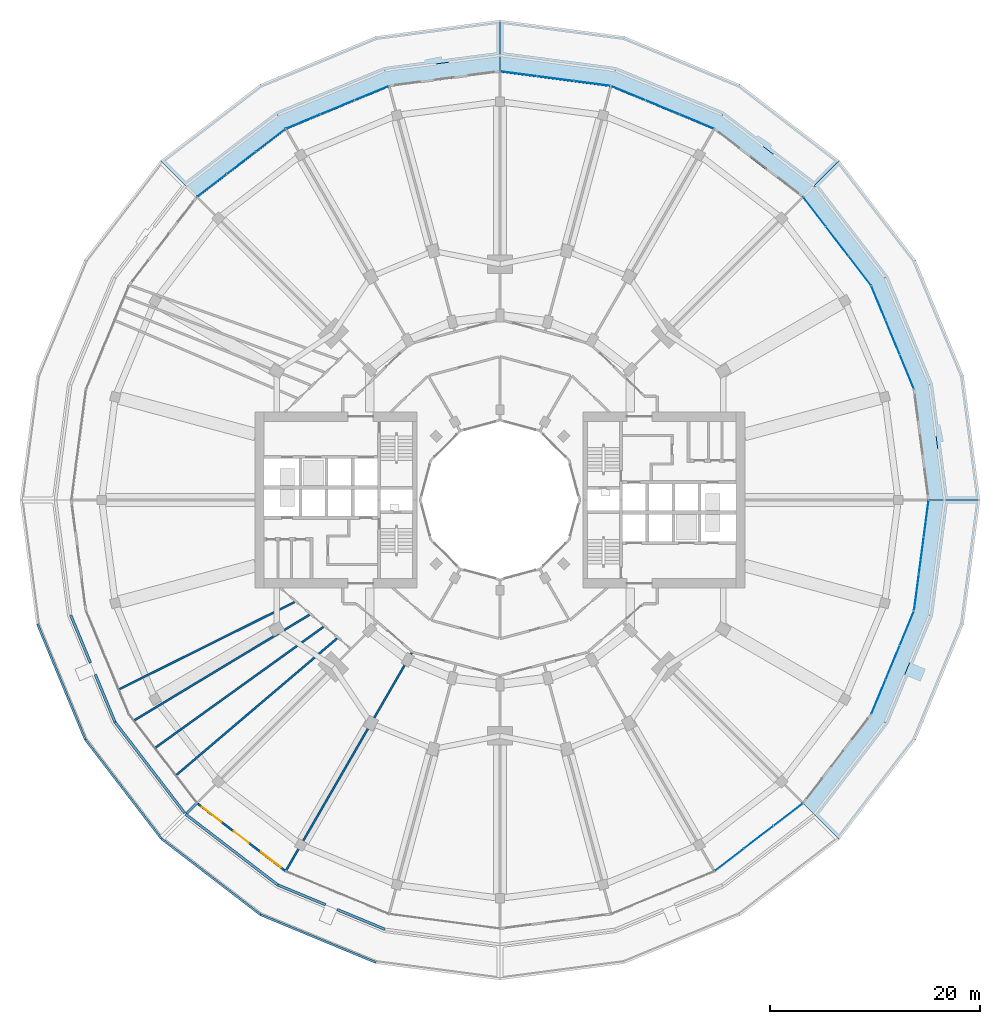
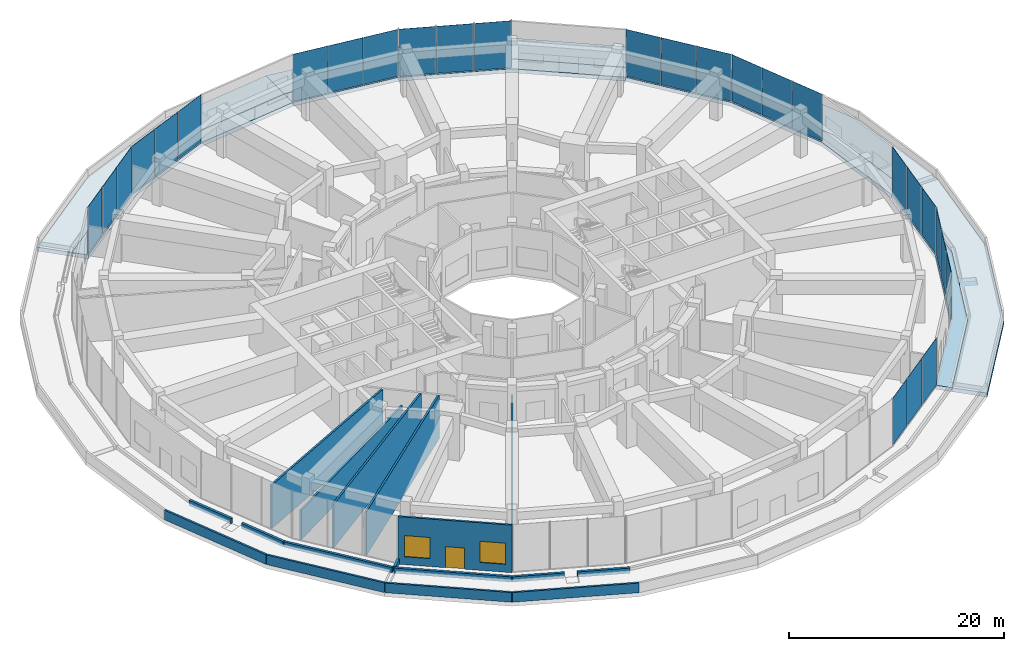
# One storey, part 20 of 30: 27 plates, 17 walls, 8 slabs, 2 windows, 1 door, 3 openings, 9 elements without a shape of their own.
"""IFC4 building model written with IfcOpenShell, lengths in metres."""

from ifc_helpers import new_model, si_unit, direction, frame, frame_2d, origin, origin_2d, place, context, subcontext, project, spatial, polyline, rectangle, outline, extrude, material, layer, layer_set, type_object, element, fill, aggregate, save


model = new_model("IFC4")

# Units and contexts
model_context = context("Model", 3, precision=1e-05, world=origin(), true_north=direction((0.0, 1.0)))
body_context = subcontext(model_context, "Body", "Model", "MODEL_VIEW")
ifc_project = project(units=[si_unit("LENGTHUNIT", "METRE"), si_unit("AREAUNIT", "SQUARE_METRE"), si_unit("VOLUMEUNIT", "CUBIC_METRE"), si_unit("PLANEANGLEUNIT", "RADIAN"), si_unit("MASSUNIT", "GRAM", prefix="KILO")], contexts=[model_context])

# Site, building, storey
site_placement = place(None, origin())
site = spatial("IfcSite", under=ifc_project, at=site_placement, CompositionType="ELEMENT")
building_placement = place(site_placement, origin())
building = spatial("IfcBuilding", under=site, at=building_placement, Name="Torre Brocal", CompositionType="ELEMENT")
storey_placement = place(building_placement, frame((0.0, 0.0, 7.0)))
storey = spatial("IfcBuildingStorey", under=building, at=storey_placement, Name="L01", CompositionType="ELEMENT", Elevation=7.0)

# Curtain wall, plates
ifc_material_1 = material(Name="Aluminium and glass", Category="aluminium")
ifc_layer_1 = layer(ifc_material_1, 0.199951171875)
ifc_layer_set_1 = layer_set([ifc_layer_1], Name="Aluminium and glass")
curtain_wall_type = type_object("IfcCurtainWallType", Name="CW-3 CURTAIN WALL 5400 HIGH", PredefinedType="NOTDEFINED", material=ifc_layer_set_1)
curtain_wall_1_placement = place(storey_placement, origin())
curtain_wall_1 = element("IfcCurtainWall", 1, at=curtain_wall_1_placement, inside=storey, type_object=curtain_wall_type, Name="CW-3 RUN 2", PredefinedType="NOTDEFINED")
ifc_material_2 = material(Name="Glass, dark tinted laminated", Category="glass")
ifc_layer_2 = layer(ifc_material_2, 0.02392578125)
ifc_layer_set_2 = layer_set([ifc_layer_2], Name="Glass, dark tinted laminated")
plate_type = type_object("IfcPlateType", Name="CW-3 GLASS PANEL 24", PredefinedType="CURTAIN_PANEL", material=ifc_layer_set_2)
plate_1_placement = place(storey_placement, frame((118.81982421875, 87.240966796875, 0.06005859375), z_axis=(0.0, 0.0, 1.0), x_axis=(-0.382683432397, 0.923879532498, 0.0)))
plate_1 = element("IfcPlate", 2, at=plate_1_placement, type_object=plate_type, Name="CW3-2 panel 1.1", PredefinedType="CURTAIN_PANEL", context=body_context, shape_type="SweptSolid", body=[
    extrude(rectangle(XDim=3.48388671875, YDim=0.02392578125, at=origin_2d()), origin(), (0.0, 0.0, 1.0), 5.340087890625),
])
plate_2_placement = place(storey_placement, frame((117.462646484375, 90.517578125, 0.06005859375), z_axis=(0.0, 0.0, 1.0), x_axis=(-0.382683432397, 0.923879532498, 0.0)))
plate_2 = element("IfcPlate", 3, at=plate_2_placement, type_object=plate_type, Name="CW3-2 panel 2.1", PredefinedType="CURTAIN_PANEL", context=body_context, shape_type="SweptSolid", body=[
    extrude(rectangle(XDim=3.509033203125, YDim=0.02392578125, at=origin_2d()), origin(), (0.0, 0.0, 1.0), 5.340087890625),
])
plate_3_placement = place(storey_placement, frame((116.10546875, 93.7939453125, 0.06005859375), z_axis=(0.0, 0.0, 1.0), x_axis=(-0.382683432397, 0.923879532498, 0.0)))
plate_3 = element("IfcPlate", 4, at=plate_3_placement, type_object=plate_type, Name="CW3-2 panel 3.1", PredefinedType="CURTAIN_PANEL", context=body_context, shape_type="SweptSolid", body=[
    extrude(rectangle(XDim=3.48388671875, YDim=0.02392578125, at=origin_2d()), origin(), (0.0, 0.0, 1.0), 5.340087890625),
])
aggregate(curtain_wall_1, [plate_1, plate_2, plate_3])

curtain_wall_2_placement = place(storey_placement, origin())
curtain_wall_2 = element("IfcCurtainWall", 5, at=curtain_wall_2_placement, inside=storey, type_object=curtain_wall_type, Name="CW-3 RUN 3", PredefinedType="NOTDEFINED")
plate_4_placement = place(storey_placement, frame((114.328857421875, 96.871337890625, 0.06005859375), z_axis=(0.0, 0.0, 1.0), x_axis=(-0.608761429009, 0.793353340291, 0.0)))
plate_4 = element("IfcPlate", 6, at=plate_4_placement, type_object=plate_type, Name="CW3-2 panel 1.1", PredefinedType="CURTAIN_PANEL", context=body_context, shape_type="SweptSolid", body=[
    extrude(rectangle(XDim=3.48388671875, YDim=0.02392578125, at=origin_2d()), origin(), (0.0, 0.0, 1.0), 5.340087890625),
])
plate_5_placement = place(storey_placement, frame((112.169921875, 99.684814453125, 0.06005859375), z_axis=(0.0, 0.0, 1.0), x_axis=(-0.608761429009, 0.793353340291, 0.0)))
plate_5 = element("IfcPlate", 7, at=plate_5_placement, type_object=plate_type, Name="CW3-2 panel 2.1", PredefinedType="CURTAIN_PANEL", context=body_context, shape_type="SweptSolid", body=[
    extrude(rectangle(XDim=3.509033203125, YDim=0.02392578125, at=origin_2d()), origin(), (0.0, 0.0, 1.0), 5.340087890625),
])
plate_6_placement = place(storey_placement, frame((110.010986328125, 102.498291015625, 0.06005859375), z_axis=(0.0, 0.0, 1.0), x_axis=(-0.608761429009, 0.793353340291, 0.0)))
plate_6 = element("IfcPlate", 8, at=plate_6_placement, type_object=plate_type, Name="CW3-2 panel 3.1", PredefinedType="CURTAIN_PANEL", context=body_context, shape_type="SweptSolid", body=[
    extrude(rectangle(XDim=3.48388671875, YDim=0.02392578125, at=origin_2d()), origin(), (0.0, 0.0, 1.0), 5.340087890625),
])
aggregate(curtain_wall_2, [plate_4, plate_5, plate_6])

curtain_wall_3_placement = place(storey_placement, origin())
curtain_wall_3 = element("IfcCurtainWall", 9, at=curtain_wall_3_placement, inside=storey, type_object=curtain_wall_type, Name="CW-3 RUN 5", PredefinedType="NOTDEFINED")
plate_7_placement = place(storey_placement, frame((98.7939453125, 111.10546875, 0.06005859375), z_axis=(0.0, 0.0, 1.0), x_axis=(-0.923879532498, 0.382683432397, 0.0)))
plate_7 = element("IfcPlate", 10, at=plate_7_placement, type_object=plate_type, Name="CW3-2 panel 1.1", PredefinedType="CURTAIN_PANEL", context=body_context, shape_type="SweptSolid", body=[
    extrude(rectangle(XDim=3.48388671875, YDim=0.02392578125, at=origin_2d()), origin(), (0.0, 0.0, 1.0), 5.340087890625),
])
plate_8_placement = place(storey_placement, frame((95.517578125, 112.462646484375, 0.06005859375), z_axis=(0.0, 0.0, 1.0), x_axis=(-0.923879532498, 0.382683432397, 0.0)))
plate_8 = element("IfcPlate", 11, at=plate_8_placement, type_object=plate_type, Name="CW3-2 panel 2.1", PredefinedType="CURTAIN_PANEL", context=body_context, shape_type="SweptSolid", body=[
    extrude(rectangle(XDim=3.509033203125, YDim=0.02392578125, at=origin_2d()), origin(), (0.0, 0.0, 1.0), 5.340087890625),
])
plate_9_placement = place(storey_placement, frame((92.240966796875, 113.81982421875, 0.06005859375), z_axis=(0.0, 0.0, 1.0), x_axis=(-0.923879532498, 0.382683432397, 0.0)))
plate_9 = element("IfcPlate", 12, at=plate_9_placement, type_object=plate_type, Name="CW3-2 panel 3.1", PredefinedType="CURTAIN_PANEL", context=body_context, shape_type="SweptSolid", body=[
    extrude(rectangle(XDim=3.48388671875, YDim=0.02392578125, at=origin_2d()), origin(), (0.0, 0.0, 1.0), 5.340087890625),
])
aggregate(curtain_wall_3, [plate_7, plate_8, plate_9])

curtain_wall_4_placement = place(storey_placement, origin())
curtain_wall_4 = element("IfcCurtainWall", 13, at=curtain_wall_4_placement, inside=storey, type_object=curtain_wall_type, Name="CW-3 RUN 6", PredefinedType="NOTDEFINED")
plate_10_placement = place(storey_placement, frame((88.808837890625, 114.739501953125, 0.06005859375), z_axis=(0.0, 0.0, 1.0), x_axis=(-0.991444861378, 0.130526192185, 0.0)))
plate_10 = element("IfcPlate", 14, at=plate_10_placement, type_object=plate_type, Name="CW3-2 panel 1.1", PredefinedType="CURTAIN_PANEL", context=body_context, shape_type="SweptSolid", body=[
    extrude(rectangle(XDim=3.48388671875, YDim=0.02392578125, at=origin_2d()), origin(), (0.0, 0.0, 1.0), 5.340087890625),
])
plate_11_placement = place(storey_placement, frame((85.292724609375, 115.202392578125, 0.06005859375), z_axis=(0.0, 0.0, 1.0), x_axis=(-0.991444861378, 0.130526192185, 0.0)))
plate_11 = element("IfcPlate", 15, at=plate_11_placement, type_object=plate_type, Name="CW3-2 panel 2.1", PredefinedType="CURTAIN_PANEL", context=body_context, shape_type="SweptSolid", body=[
    extrude(rectangle(XDim=3.509033203125, YDim=0.02392578125, at=origin_2d()), origin(), (0.0, 0.0, 1.0), 5.340087890625),
])
plate_12_placement = place(storey_placement, frame((81.776611328125, 115.665283203125, 0.06005859375), z_axis=(0.0, 0.0, 1.0), x_axis=(-0.991444861378, 0.130526192185, 0.0)))
plate_12 = element("IfcPlate", 16, at=plate_12_placement, type_object=plate_type, Name="CW3-2 panel 3.1", PredefinedType="CURTAIN_PANEL", context=body_context, shape_type="SweptSolid", body=[
    extrude(rectangle(XDim=3.48388671875, YDim=0.02392578125, at=origin_2d()), origin(), (0.0, 0.0, 1.0), 5.340087890625),
])
aggregate(curtain_wall_4, [plate_10, plate_11, plate_12])

curtain_wall_5_placement = place(storey_placement, origin())
curtain_wall_5 = element("IfcCurtainWall", 17, at=curtain_wall_5_placement, inside=storey, type_object=curtain_wall_type, Name="CW-3 RUN 8", PredefinedType="NOTDEFINED")
plate_13_placement = place(storey_placement, frame((67.759033203125, 113.81982421875, 0.06005859375), z_axis=(0.0, 0.0, 1.0), x_axis=(-0.923879532498, -0.382683432397, 0.0)))
plate_13 = element("IfcPlate", 18, at=plate_13_placement, type_object=plate_type, Name="CW3-2 panel 1.1", PredefinedType="CURTAIN_PANEL", context=body_context, shape_type="SweptSolid", body=[
    extrude(rectangle(XDim=3.48388671875, YDim=0.02392578125, at=origin_2d()), origin(), (0.0, 0.0, 1.0), 5.340087890625),
])
plate_14_placement = place(storey_placement, frame((64.482421875, 112.462646484375, 0.06005859375), z_axis=(0.0, 0.0, 1.0), x_axis=(-0.923879532498, -0.382683432397, 0.0)))
plate_14 = element("IfcPlate", 19, at=plate_14_placement, type_object=plate_type, Name="CW3-2 panel 2.1", PredefinedType="CURTAIN_PANEL", context=body_context, shape_type="SweptSolid", body=[
    extrude(rectangle(XDim=3.509033203125, YDim=0.02392578125, at=origin_2d()), origin(), (0.0, 0.0, 1.0), 5.340087890625),
])
plate_15_placement = place(storey_placement, frame((61.2060546875, 111.10546875, 0.06005859375), z_axis=(0.0, 0.0, 1.0), x_axis=(-0.923879532498, -0.382683432397, 0.0)))
plate_15 = element("IfcPlate", 20, at=plate_15_placement, type_object=plate_type, Name="CW3-2 panel 3.1", PredefinedType="CURTAIN_PANEL", context=body_context, shape_type="SweptSolid", body=[
    extrude(rectangle(XDim=3.48388671875, YDim=0.02392578125, at=origin_2d()), origin(), (0.0, 0.0, 1.0), 5.340087890625),
])
aggregate(curtain_wall_5, [plate_13, plate_14, plate_15])

curtain_wall_6_placement = place(storey_placement, origin())
curtain_wall_6 = element("IfcCurtainWall", 21, at=curtain_wall_6_placement, inside=storey, type_object=curtain_wall_type, Name="CW-3 RUN 9", PredefinedType="NOTDEFINED")
plate_16_placement = place(storey_placement, frame((58.128662109375, 109.328857421875, 0.06005859375), z_axis=(0.0, 0.0, 1.0), x_axis=(-0.793353340291, -0.608761429009, 0.0)))
plate_16 = element("IfcPlate", 22, at=plate_16_placement, type_object=plate_type, Name="CW3-2 panel 1.1", PredefinedType="CURTAIN_PANEL", context=body_context, shape_type="SweptSolid", body=[
    extrude(rectangle(XDim=3.48388671875, YDim=0.02392578125, at=origin_2d()), origin(), (0.0, 0.0, 1.0), 5.340087890625),
])
plate_17_placement = place(storey_placement, frame((55.315185546875, 107.169921875, 0.06005859375), z_axis=(0.0, 0.0, 1.0), x_axis=(-0.793353340291, -0.608761429009, 0.0)))
plate_17 = element("IfcPlate", 23, at=plate_17_placement, type_object=plate_type, Name="CW3-2 panel 2.1", PredefinedType="CURTAIN_PANEL", context=body_context, shape_type="SweptSolid", body=[
    extrude(rectangle(XDim=3.509033203125, YDim=0.02392578125, at=origin_2d()), origin(), (0.0, 0.0, 1.0), 5.340087890625),
])
plate_18_placement = place(storey_placement, frame((52.501708984375, 105.010986328125, 0.06005859375), z_axis=(0.0, 0.0, 1.0), x_axis=(-0.793353340291, -0.608761429009, 0.0)))
plate_18 = element("IfcPlate", 24, at=plate_18_placement, type_object=plate_type, Name="CW3-2 panel 3.1", PredefinedType="CURTAIN_PANEL", context=body_context, shape_type="SweptSolid", body=[
    extrude(rectangle(XDim=3.48388671875, YDim=0.02392578125, at=origin_2d()), origin(), (0.0, 0.0, 1.0), 5.340087890625),
])
aggregate(curtain_wall_6, [plate_16, plate_17, plate_18])

curtain_wall_7_placement = place(storey_placement, origin())
curtain_wall_7 = element("IfcCurtainWall", 25, at=curtain_wall_7_placement, inside=storey, type_object=curtain_wall_type, Name="CW-3 RUN 21", PredefinedType="NOTDEFINED")
plate_19_placement = place(storey_placement, frame((101.871337890625, 40.671142578125, 0.06005859375), z_axis=(0.0, 0.0, 1.0), x_axis=(0.793353340291, 0.608761429009, 0.0)))
plate_19 = element("IfcPlate", 26, at=plate_19_placement, type_object=plate_type, Name="CW3-2 panel 1.1", PredefinedType="CURTAIN_PANEL", context=body_context, shape_type="SweptSolid", body=[
    extrude(rectangle(XDim=3.48388671875, YDim=0.02392578125, at=origin_2d()), origin(), (0.0, 0.0, 1.0), 5.340087890625),
])
plate_20_placement = place(storey_placement, frame((104.684814453125, 42.830078125, 0.06005859375), z_axis=(0.0, 0.0, 1.0), x_axis=(0.793353340291, 0.608761429009, 0.0)))
plate_20 = element("IfcPlate", 27, at=plate_20_placement, type_object=plate_type, Name="CW3-2 panel 2.1", PredefinedType="CURTAIN_PANEL", context=body_context, shape_type="SweptSolid", body=[
    extrude(rectangle(XDim=3.509033203125, YDim=0.02392578125, at=origin_2d()), origin(), (0.0, 0.0, 1.0), 5.340087890625),
])
plate_21_placement = place(storey_placement, frame((107.498291015625, 44.989013671875, 0.06005859375), z_axis=(0.0, 0.0, 1.0), x_axis=(0.793353340291, 0.608761429009, 0.0)))
plate_21 = element("IfcPlate", 28, at=plate_21_placement, type_object=plate_type, Name="CW3-2 panel 3.1", PredefinedType="CURTAIN_PANEL", context=body_context, shape_type="SweptSolid", body=[
    extrude(rectangle(XDim=3.48388671875, YDim=0.02392578125, at=origin_2d()), origin(), (0.0, 0.0, 1.0), 5.340087890625),
])
aggregate(curtain_wall_7, [plate_19, plate_20, plate_21])

curtain_wall_8_placement = place(storey_placement, origin())
curtain_wall_8 = element("IfcCurtainWall", 29, at=curtain_wall_8_placement, inside=storey, type_object=curtain_wall_type, Name="CW-3 RUN 23", PredefinedType="NOTDEFINED")
plate_22_placement = place(storey_placement, frame((116.10546875, 56.2060546875, 0.06005859375), z_axis=(0.0, 0.0, 1.0), x_axis=(0.382683432397, 0.923879532498, 0.0)))
plate_22 = element("IfcPlate", 30, at=plate_22_placement, type_object=plate_type, Name="CW3-2 panel 1.1", PredefinedType="CURTAIN_PANEL", context=body_context, shape_type="SweptSolid", body=[
    extrude(rectangle(XDim=3.48388671875, YDim=0.02392578125, at=origin_2d()), origin(), (0.0, 0.0, 1.0), 5.340087890625),
])
plate_23_placement = place(storey_placement, frame((117.462646484375, 59.482421875, 0.06005859375), z_axis=(0.0, 0.0, 1.0), x_axis=(0.382683432397, 0.923879532498, 0.0)))
plate_23 = element("IfcPlate", 31, at=plate_23_placement, type_object=plate_type, Name="CW3-2 panel 2.1", PredefinedType="CURTAIN_PANEL", context=body_context, shape_type="SweptSolid", body=[
    extrude(rectangle(XDim=3.509033203125, YDim=0.02392578125, at=origin_2d()), origin(), (0.0, 0.0, 1.0), 5.340087890625),
])
plate_24_placement = place(storey_placement, frame((118.81982421875, 62.759033203125, 0.06005859375), z_axis=(0.0, 0.0, 1.0), x_axis=(0.382683432397, 0.923879532498, 0.0)))
plate_24 = element("IfcPlate", 32, at=plate_24_placement, type_object=plate_type, Name="CW3-2 panel 3.1", PredefinedType="CURTAIN_PANEL", context=body_context, shape_type="SweptSolid", body=[
    extrude(rectangle(XDim=3.48388671875, YDim=0.02392578125, at=origin_2d()), origin(), (0.0, 0.0, 1.0), 5.340087890625),
])
aggregate(curtain_wall_8, [plate_22, plate_23, plate_24])

curtain_wall_9_placement = place(storey_placement, origin())
curtain_wall_9 = element("IfcCurtainWall", 33, at=curtain_wall_9_placement, inside=storey, type_object=curtain_wall_type, Name="CW-3 RUN 24", PredefinedType="NOTDEFINED")
plate_25_placement = place(storey_placement, frame((119.739501953125, 66.191162109375, 0.06005859375), z_axis=(0.0, 0.0, 1.0), x_axis=(0.130526192185, 0.991444861378, 0.0)))
plate_25 = element("IfcPlate", 34, at=plate_25_placement, type_object=plate_type, Name="CW3-2 panel 1.1", PredefinedType="CURTAIN_PANEL", context=body_context, shape_type="SweptSolid", body=[
    extrude(rectangle(XDim=3.48388671875, YDim=0.02392578125, at=origin_2d()), origin(), (0.0, 0.0, 1.0), 5.340087890625),
])
plate_26_placement = place(storey_placement, frame((120.202392578125, 69.707275390625, 0.06005859375), z_axis=(0.0, 0.0, 1.0), x_axis=(0.130526192185, 0.991444861378, 0.0)))
plate_26 = element("IfcPlate", 35, at=plate_26_placement, type_object=plate_type, Name="CW3-2 panel 2.1", PredefinedType="CURTAIN_PANEL", context=body_context, shape_type="SweptSolid", body=[
    extrude(rectangle(XDim=3.509033203125, YDim=0.02392578125, at=origin_2d()), origin(), (0.0, 0.0, 1.0), 5.340087890625),
])
plate_27_placement = place(storey_placement, frame((120.665283203125, 73.223388671875, 0.06005859375), z_axis=(0.0, 0.0, 1.0), x_axis=(0.130526192185, 0.991444861378, 0.0)))
plate_27 = element("IfcPlate", 36, at=plate_27_placement, type_object=plate_type, Name="CW3-2 panel 3.1", PredefinedType="CURTAIN_PANEL", context=body_context, shape_type="SweptSolid", body=[
    extrude(rectangle(XDim=3.48388671875, YDim=0.02392578125, at=origin_2d()), origin(), (0.0, 0.0, 1.0), 5.340087890625),
])
aggregate(curtain_wall_9, [plate_25, plate_26, plate_27])

# Slabs
ifc_material_3 = material(Name="Concrete C45", Category="concrete")
ifc_layer_3 = layer(ifc_material_3, 0.449951171875)
ifc_layer_set_3 = layer_set([ifc_layer_3], Name="Concrete C45")
slab_type_1 = type_object("IfcSlabType", Name="GREEN ROOF PLANTING BED SLAB 450 C45", PredefinedType="ROOF", material=ifc_layer_set_3)
slab_1_placement = place(storey_placement, frame((0.0, 0.0, -0.449951171875)))
element("IfcSlab", 37, at=slab_1_placement, inside=storey, type_object=slab_type_1, Name="Slab ST-04", PredefinedType="ROOF", context=body_context, shape_type="SweptSolid", body=[
    extrude(outline(polyline([(125.79833984375, 75.0), (122.412109375, 75.0), (120.967041015625, 85.97705078125), (116.72998046875, 96.2060546875), (109.989990234375, 104.989990234375), (112.38427734375, 107.38427734375), (119.662353515625, 97.899169921875), (124.23779296875, 86.853515625), (125.79833984375, 75.0)])), origin(), (0.0, 0.0, 1.0), 0.449951171875),
])
slab_2_placement = place(storey_placement, frame((0.0, 0.0, -0.449951171875)))
element("IfcSlab", 38, at=slab_2_placement, inside=storey, type_object=slab_type_1, Name="Slab ST-04", PredefinedType="ROOF", context=body_context, shape_type="SweptSolid", body=[
    extrude(outline(polyline([(112.38427734375, 107.38427734375), (109.989990234375, 104.989990234375), (101.2060546875, 111.72998046875), (90.97705078125, 115.967041015625), (80.0, 117.412109375), (80.0, 120.79833984375), (91.853515625, 119.23779296875), (102.899169921875, 114.662353515625), (112.38427734375, 107.38427734375)])), origin(), (0.0, 0.0, 1.0), 0.449951171875),
])
slab_3_placement = place(storey_placement, frame((0.0, 0.0, -0.449951171875)))
element("IfcSlab", 39, at=slab_3_placement, inside=storey, type_object=slab_type_1, Name="Slab ST-04", PredefinedType="ROOF", context=body_context, shape_type="SweptSolid", body=[
    extrude(outline(polyline([(80.0, 120.79833984375), (80.0, 117.412109375), (69.02294921875, 115.967041015625), (58.7939453125, 111.72998046875), (50.010009765625, 104.989990234375), (47.61572265625, 107.38427734375), (57.100830078125, 114.662353515625), (68.146484375, 119.23779296875), (80.0, 120.79833984375)])), origin(), (0.0, 0.0, 1.0), 0.449951171875),
])
slab_4_placement = place(storey_placement, frame((0.0, 0.0, -0.449951171875)))
element("IfcSlab", 40, at=slab_4_placement, inside=storey, type_object=slab_type_1, Name="Slab ST-04", PredefinedType="ROOF", context=body_context, shape_type="SweptSolid", body=[
    extrude(outline(polyline([(116.72998046875, 53.7939453125), (120.967041015625, 64.02294921875), (122.412109375, 75.0), (125.79833984375, 75.0), (124.23779296875, 63.146484375), (119.662353515625, 52.100830078125), (112.38427734375, 42.61572265625), (109.989990234375, 45.010009765625), (116.72998046875, 53.7939453125)])), origin(), (0.0, 0.0, 1.0), 0.449951171875),
])
ifc_material_4 = material(Name="Concrete C45", Category="concrete")
ifc_layer_4 = layer(ifc_material_4, 0.449951171875)
ifc_layer_set_4 = layer_set([ifc_layer_4], Name="Concrete C45")
slab_type_2 = type_object("IfcSlabType", Name="PT TERRACE SLAB 450 C45", PredefinedType="ROOF", material=ifc_layer_set_4)
slab_5_placement = place(storey_placement, frame((0.0, 0.0, -0.449951171875)))
element("IfcSlab", 41, at=slab_5_placement, inside=storey, type_object=slab_type_2, Name="Slab ST-03", PredefinedType="ROOF", context=body_context, shape_type="SweptSolid", body=[
    extrude(outline(polyline([(119.408203125, 85.559326171875), (115.332275390625, 95.399169921875), (108.8486328125, 103.8486328125), (109.989990234375, 104.989990234375), (116.72998046875, 96.2060546875), (120.967041015625, 85.97705078125), (122.412109375, 75.0), (120.79833984375, 75.0), (119.408203125, 85.559326171875)])), origin(), (0.0, 0.0, 1.0), 0.449951171875),
])
slab_6_placement = place(storey_placement, frame((0.0, 0.0, -0.449951171875)))
element("IfcSlab", 42, at=slab_6_placement, inside=storey, type_object=slab_type_2, Name="Slab ST-03", PredefinedType="ROOF", context=body_context, shape_type="SweptSolid", body=[
    extrude(outline(polyline([(100.399169921875, 110.332275390625), (90.559326171875, 114.408203125), (80.0, 115.79833984375), (80.0, 117.412109375), (90.97705078125, 115.967041015625), (101.2060546875, 111.72998046875), (109.989990234375, 104.989990234375), (108.8486328125, 103.8486328125), (100.399169921875, 110.332275390625)])), origin(), (0.0, 0.0, 1.0), 0.449951171875),
])
slab_7_placement = place(storey_placement, frame((0.0, 0.0, -0.449951171875)))
element("IfcSlab", 43, at=slab_7_placement, inside=storey, type_object=slab_type_2, Name="Slab ST-03", PredefinedType="ROOF", context=body_context, shape_type="SweptSolid", body=[
    extrude(outline(polyline([(69.440673828125, 114.408203125), (59.600830078125, 110.332275390625), (51.1513671875, 103.8486328125), (50.010009765625, 104.989990234375), (58.7939453125, 111.72998046875), (69.02294921875, 115.967041015625), (80.0, 117.412109375), (80.0, 115.79833984375), (69.440673828125, 114.408203125)])), origin(), (0.0, 0.0, 1.0), 0.449951171875),
])
slab_8_placement = place(storey_placement, frame((0.0, 0.0, -0.449951171875)))
element("IfcSlab", 44, at=slab_8_placement, inside=storey, type_object=slab_type_2, Name="Slab ST-03", PredefinedType="ROOF", context=body_context, shape_type="SweptSolid", body=[
    extrude(outline(polyline([(115.332275390625, 54.600830078125), (119.408203125, 64.440673828125), (120.79833984375, 75.0), (122.412109375, 75.0), (120.967041015625, 64.02294921875), (116.72998046875, 53.7939453125), (109.989990234375, 45.010009765625), (108.8486328125, 46.1513671875), (115.332275390625, 54.600830078125)])), origin(), (0.0, 0.0, 1.0), 0.449951171875),
])

# Wall, openings, windows, door
ifc_material_5 = material(Name="Concrete C40", Category="concrete")
ifc_layer_5 = layer(ifc_material_5, 0.199951171875)
ifc_layer_set_5 = layer_set([ifc_layer_5], Name="Concrete C40")
wall_type_1 = type_object("IfcWallType", Name="EXTERNAL WALL 200", PredefinedType="NOTDEFINED", material=ifc_layer_set_5)
wall_1_placement = place(storey_placement, frame((51.079833984375, 46.079833984375, 0.0), z_axis=(0.0, 0.0, 1.0), x_axis=(0.793366340284, -0.608744486714, 0.0)))
wall_1 = element("IfcWall", 45, at=wall_1_placement, inside=storey, type_object=wall_type_1, Name="EXTERNAL WALL", PredefinedType="NOTDEFINED", context=body_context, shape_type="SweptSolid", body=[
    extrude(rectangle(XDim=10.677001953125, YDim=0.199951171875, at=frame_2d((5.33837890625, 0.0))), origin(), (0.0, 0.0, 1.0), 5.39990234375),
])
opening_1_placement = place(wall_1_placement, frame((0.57958984375, 0.0, 0.89990234375)))
opening_1 = element("IfcOpeningElement", 46, at=opening_1_placement, cuts=wall_1, Name="Opening W6", PredefinedType="OPENING", context=body_context, shape_type="SweptSolid", body=[
    extrude(rectangle(XDim=2.39990234375, YDim=2.39990234375, at=frame_2d((1.199951171875, 1.199951171875))), frame((0.0, 0.10986328125, 0.0), z_axis=(0.0, -1.0, 0.0), x_axis=(1.0, 0.0, 0.0)), (0.0, 0.0, 1.0), 0.219970703125),
])
opening_2_placement = place(wall_1_placement, frame((4.4384765625, 0.0, 0.0)))
opening_2 = element("IfcOpeningElement", 47, at=opening_2_placement, cuts=wall_1, Name="Opening L01-E06", PredefinedType="OPENING", context=body_context, shape_type="SweptSolid", body=[
    extrude(rectangle(XDim=1.800048828125, YDim=2.39990234375, at=frame_2d((0.89990234375, 1.199951171875))), frame((0.0, 0.10986328125, 0.0), z_axis=(0.0, -1.0, 0.0), x_axis=(1.0, 0.0, 0.0)), (0.0, 0.0, 1.0), 0.219970703125),
])
opening_3_placement = place(wall_1_placement, frame((7.697265625, 0.0, 0.89990234375)))
opening_3 = element("IfcOpeningElement", 48, at=opening_3_placement, cuts=wall_1, Name="Opening W6", PredefinedType="OPENING", context=body_context, shape_type="SweptSolid", body=[
    extrude(rectangle(XDim=2.39990234375, YDim=2.39990234375, at=frame_2d((1.199951171875, 1.199951171875))), frame((0.0, 0.10986328125, 0.0), z_axis=(0.0, -1.0, 0.0), x_axis=(1.0, 0.0, 0.0)), (0.0, 0.0, 1.0), 0.219970703125),
])
ifc_material_6 = material(Name="Aluminium and glass", Category="aluminium")
window_type = type_object("IfcWindowType", Name="PODIUM WINDOW 2400X2400", PartitioningType="SINGLE_PANEL", PredefinedType="WINDOW", material=ifc_material_6)
window_1_placement = place(opening_1_placement, origin())
window_1 = element("IfcWindow", 49, at=window_1_placement, inside=storey, type_object=window_type, Name="PODIUM WINDOW 2400X2400", OverallHeight=2.39990234375, OverallWidth=2.39990234375, PartitioningType="SINGLE_PANEL", PredefinedType="WINDOW", context=body_context, shape_type="SweptSolid", body=[
    extrude(rectangle(XDim=2.39990234375, YDim=2.39990234375, at=frame_2d((1.199951171875, 1.199951171875))), frame((0.0, 0.030029296875, 0.0), z_axis=(0.0, -1.0, 0.0), x_axis=(1.0, 0.0, 0.0)), (0.0, 0.0, 1.0), 0.06005859375),
])
fill(opening_1, window_1)
window_2_placement = place(opening_3_placement, origin())
window_2 = element("IfcWindow", 50, at=window_2_placement, inside=storey, type_object=window_type, Name="PODIUM WINDOW 2400X2400", OverallHeight=2.39990234375, OverallWidth=2.39990234375, PartitioningType="SINGLE_PANEL", PredefinedType="WINDOW", context=body_context, shape_type="SweptSolid", body=[
    extrude(rectangle(XDim=2.39990234375, YDim=2.39990234375, at=frame_2d((1.199951171875, 1.199951171875))), frame((0.0, 0.030029296875, 0.0), z_axis=(0.0, -1.0, 0.0), x_axis=(1.0, 0.0, 0.0)), (0.0, 0.0, 1.0), 0.06005859375),
])
fill(opening_3, window_2)
ifc_material_7 = material(Name="Aluminium and glass", Category="aluminium")
door_type = type_object("IfcDoorType", Name="TERRACE DOUBLE DOOR 1800X2400", OperationType="DOUBLE_DOOR_SINGLE_SWING", PredefinedType="DOOR", material=ifc_material_7)
door_placement = place(opening_2_placement, frame((1.800048828125, 0.0, 0.0), z_axis=(0.0, 0.0, 1.0), x_axis=(-1.0, 0.0, 0.0)))
door = element("IfcDoor", 51, at=door_placement, inside=storey, type_object=door_type, Name="DOOR L01-E06", OperationType="DOUBLE_DOOR_SINGLE_SWING", OverallHeight=2.39990234375, OverallWidth=1.800048828125, PredefinedType="DOOR", context=body_context, shape_type="SweptSolid", body=[
    extrude(rectangle(XDim=1.800048828125, YDim=2.39990234375, at=frame_2d((0.89990234375, 1.199951171875))), frame((0.0, 0.02490234375, 0.0), z_axis=(0.0, -1.0, 0.0), x_axis=(1.0, 0.0, 0.0)), (0.0, 0.0, 1.0), 0.050048828125),
])
fill(opening_2, door)

# Walls
ifc_material_8 = material(Name="Concrete C40", Category="concrete")
ifc_layer_6 = layer(ifc_material_8, 0.199951171875)
ifc_layer_set_6 = layer_set([ifc_layer_6], Name="Concrete C40")
wall_type_2 = type_object("IfcWallType", Name="PARAPET WALL 200 THICK 1100 HIGH", PredefinedType="PARAPET", material=ifc_layer_set_6)
wall_2_placement = place(storey_placement, frame((68.160400390625, 30.86474609375, 0.0), z_axis=(0.0, 0.0, 1.0), x_axis=(-0.923875337263, 0.382693560434, 0.0)))
element("IfcWall", 52, at=wall_2_placement, inside=storey, type_object=wall_type_2, Name="PARAPET WALL 8", PredefinedType="PARAPET", context=body_context, shape_type="SweptSolid", body=[
    extrude(rectangle(XDim=11.90283203125, YDim=0.199951171875, at=frame_2d((5.951416015625, 0.0))), origin(), (0.0, 0.0, 1.0), 1.10009765625),
])
for number, where, z_axis, x_axis, name in (
    (53, (57.140869140625, 35.432861328125, 0.0), (0.0, 0.0, 1.0), (-0.79335539968, 0.608758745152, 0.0), "PARAPET WALL 9"),
    (54, (47.678955078125, 42.697509765625, 0.0), (0.0, 0.0, 1.0), (-0.608758745152, 0.79335539968, 0.0), "PARAPET WALL 10"),
):
    element("IfcWall", number, at=place(storey_placement, frame(where, z_axis=z_axis, x_axis=x_axis)), inside=storey, type_object=wall_type_2, Name=name, PredefinedType="PARAPET", context=body_context, shape_type="SweptSolid", body=[
        extrude(rectangle(XDim=11.903076171875, YDim=0.199951171875, at=frame_2d((5.95166015625, 0.0))), origin(), (0.0, 0.0, 1.0), 1.10009765625),
    ])
wall_3_placement = place(storey_placement, frame((40.419921875, 52.16357421875, 0.0), z_axis=(0.0, 0.0, 1.0), x_axis=(-0.382693560434, 0.923875337263, 0.0)))
element("IfcWall", 55, at=wall_3_placement, inside=storey, type_object=wall_type_2, Name="PARAPET WALL 11", PredefinedType="PARAPET", context=body_context, shape_type="SweptSolid", body=[
    extrude(rectangle(XDim=11.90283203125, YDim=0.199951171875, at=frame_2d((5.951416015625, 0.0))), origin(), (0.0, 0.0, 1.0), 1.10009765625),
])
ifc_material_9 = material(Name="Gypsum board", Category="Gypsum")
ifc_layer_7 = layer(ifc_material_9, 0.199951171875)
ifc_layer_set_7 = layer_set([ifc_layer_7], Name="Gypsum board")
wall_type_3 = type_object("IfcWallType", Name="PARTITION 200 EI60", PredefinedType="PARTITIONING", material=ifc_layer_set_7)
wall_4_placement = place(storey_placement, frame((43.693115234375, 56.9560546875, 0.0), z_axis=(0.0, 0.0, 1.0), x_axis=(0.895500820316, 0.445059862056, 0.0)))
element("IfcWall", 56, at=wall_4_placement, inside=storey, type_object=wall_type_3, Name="PLANT ROOM WALL", PredefinedType="PARTITIONING", context=body_context, shape_type="SweptSolid", body=[
    extrude(rectangle(XDim=18.64697265625, YDim=0.199951171875, at=frame_2d((9.323486328125, 0.0))), origin(), (0.0, 0.0, 1.0), 4.949951171875),
])
wall_5_placement = place(storey_placement, frame((47.091796875, 51.3427734375, 0.0), z_axis=(0.0, 0.0, 1.0), x_axis=(0.811971325551, 0.583697324375, 0.0)))
element("IfcWall", 57, at=wall_5_placement, inside=storey, type_object=wall_type_3, Name="PARTY PARTITION", PredefinedType="PARTITIONING", context=body_context, shape_type="SweptSolid", body=[
    extrude(rectangle(XDim=19.784912109375, YDim=0.199951171875, at=frame_2d((9.892578125, 0.0))), origin(), (0.0, 0.0, 1.0), 4.949951171875),
])
wall_6_placement = place(storey_placement, frame((49.137939453125, 48.775634765625, 0.0), z_axis=(0.0, 0.0, 1.0), x_axis=(0.762040332495, 0.647529560445, 0.0)))
element("IfcWall", 58, at=wall_6_placement, inside=storey, type_object=wall_type_3, Name="PARTY PARTITION", PredefinedType="PARTITIONING", context=body_context, shape_type="SweptSolid", body=[
    extrude(rectangle(XDim=20.094482421875, YDim=0.199951171875, at=frame_2d((10.04736328125, 0.0))), origin(), (0.0, 0.0, 1.0), 4.949951171875),
])
ifc_material_10 = material(Name="Gypsum board", Category="Gypsum")
ifc_layer_8 = layer(ifc_material_10, 0.199951171875)
ifc_layer_set_8 = layer_set([ifc_layer_8], Name="Gypsum board")
wall_type_4 = type_object("IfcWallType", Name="PARTITION 200 EI60 UNDER BEAM 2050", PredefinedType="PARTITIONING", material=ifc_layer_set_8)
wall_7_placement = place(storey_placement, frame((45.13427734375, 53.9931640625, 0.0), z_axis=(0.0, 0.0, 1.0), x_axis=(0.856552604293, 0.516059721427, 0.0)))
element("IfcWall", 59, at=wall_7_placement, inside=storey, type_object=wall_type_4, Name="PARTY PARTITION", PredefinedType="PARTITIONING", context=body_context, shape_type="SweptSolid", body=[
    extrude(rectangle(XDim=19.479248046875, YDim=0.199951171875, at=frame_2d((9.73974609375, 0.0))), origin(), (0.0, 0.0, 1.0), 3.35009765625),
])
wall_8_placement = place(storey_placement, frame((59.599609375, 39.668701171875, 0.0), z_axis=(0.0, 0.0, 1.0), x_axis=(0.500039717933, 0.866002471411, 0.0)))
element("IfcWall", 60, at=wall_8_placement, inside=storey, type_object=wall_type_4, Name="PARTY PARTITION", PredefinedType="PARTITIONING", context=body_context, shape_type="SweptSolid", body=[
    extrude(rectangle(XDim=23.95751953125, YDim=0.199951171875, at=frame_2d((11.978759765625, 0.0))), origin(), (0.0, 0.0, 1.0), 3.35009765625),
])
ifc_material_11 = material(Name="Concrete C35", Category="concrete")
ifc_layer_9 = layer(ifc_material_11, 0.25)
ifc_layer_set_9 = layer_set([ifc_layer_9], Name="Concrete C35")
wall_type_5 = type_object("IfcWallType", Name="PLANTER WALL 250 THICK 600 HIGH", PredefinedType="USERDEFINED", material=ifc_layer_set_9)
wall_9_placement = place(storey_placement, frame((51.1513671875, 46.1513671875, 0.0), z_axis=(0.0, 0.0, 1.0), x_axis=(-0.707106781187, -0.707106781187, 0.0)))
element("IfcWall", 61, at=wall_9_placement, inside=storey, type_object=wall_type_5, Name="PLANTER", ObjectType="PLANTER", PredefinedType="USERDEFINED", context=body_context, shape_type="SweptSolid", body=[
    extrude(rectangle(XDim=1.471435546875, YDim=0.25, at=frame_2d((0.73583984375, 0.0))), origin(), (0.0, 0.0, 1.0), 0.60009765625),
])
wall_10_placement = place(storey_placement, frame((49.92333984375, 45.123291015625, 0.0), z_axis=(0.0, 0.0, 1.0), x_axis=(-0.608762138024, 0.793352796244, 0.0)))
element("IfcWall", 62, at=wall_10_placement, inside=storey, type_object=wall_type_5, Name="PLANTER", ObjectType="PLANTER", PredefinedType="USERDEFINED", context=body_context, shape_type="SweptSolid", body=[
    extrude(rectangle(XDim=10.912841796875, YDim=0.25, at=frame_2d((5.45654296875, 0.0))), origin(), (0.0, 0.0, 1.0), 0.60009765625),
])
for number, where, z_axis, x_axis, name in (
    (63, (43.263671875, 53.80908203125, 0.0), (0.0, 0.0, 1.0), (-0.382683446042, 0.923879526846, 0.0), "PLANTER"),
    (64, (40.921875, 59.462890625, 0.0), (0.0, 0.0, 1.0), (-0.382683446042, 0.923879526846, 0.0), "PLANTER"),
    (65, (69.0078125, 34.039306640625, 0.0), (0.0, 0.0, 1.0), (-0.923879526846, 0.382683446042, 0.0), "PLANTER"),
    (66, (63.35400390625, 36.381103515625, 0.0), (0.0, 0.0, 1.0), (-0.923879526846, 0.382683446042, 0.0), "PLANTER"),
):
    element("IfcWall", number, at=place(storey_placement, frame(where, z_axis=z_axis, x_axis=x_axis)), inside=storey, type_object=wall_type_5, Name=name, ObjectType="PLANTER", PredefinedType="USERDEFINED", context=body_context, shape_type="SweptSolid", body=[
        extrude(rectangle(XDim=4.91943359375, YDim=0.25, at=frame_2d((2.459716796875, 0.0))), origin(), (0.0, 0.0, 1.0), 0.60009765625),
    ])
wall_11_placement = place(storey_placement, frame((58.781005859375, 38.280029296875, 0.0), z_axis=(0.0, 0.0, 1.0), x_axis=(-0.793363892205, 0.60874767724, 0.0)))
element("IfcWall", 67, at=wall_11_placement, inside=storey, type_object=wall_type_5, Name="PLANTER", ObjectType="PLANTER", PredefinedType="USERDEFINED", context=body_context, shape_type="SweptSolid", body=[
    extrude(rectangle(XDim=11.055419921875, YDim=0.25, at=frame_2d((5.52783203125, 0.0))), origin(), (0.0, 0.0, 1.0), 0.60009765625),
])

save(model, "model.ifc")
